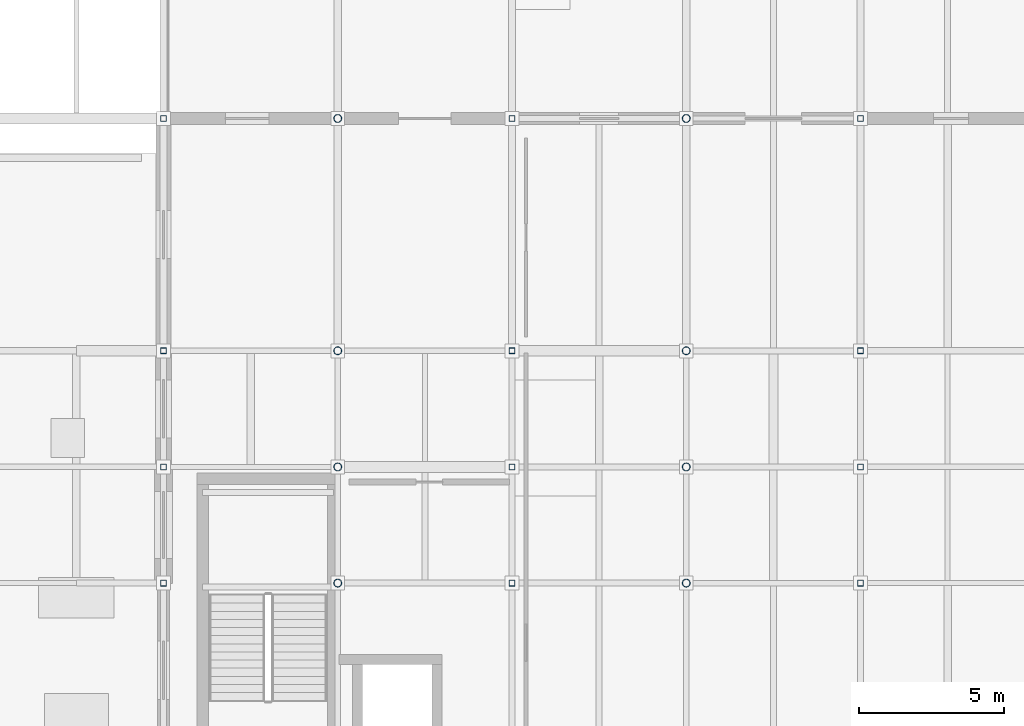
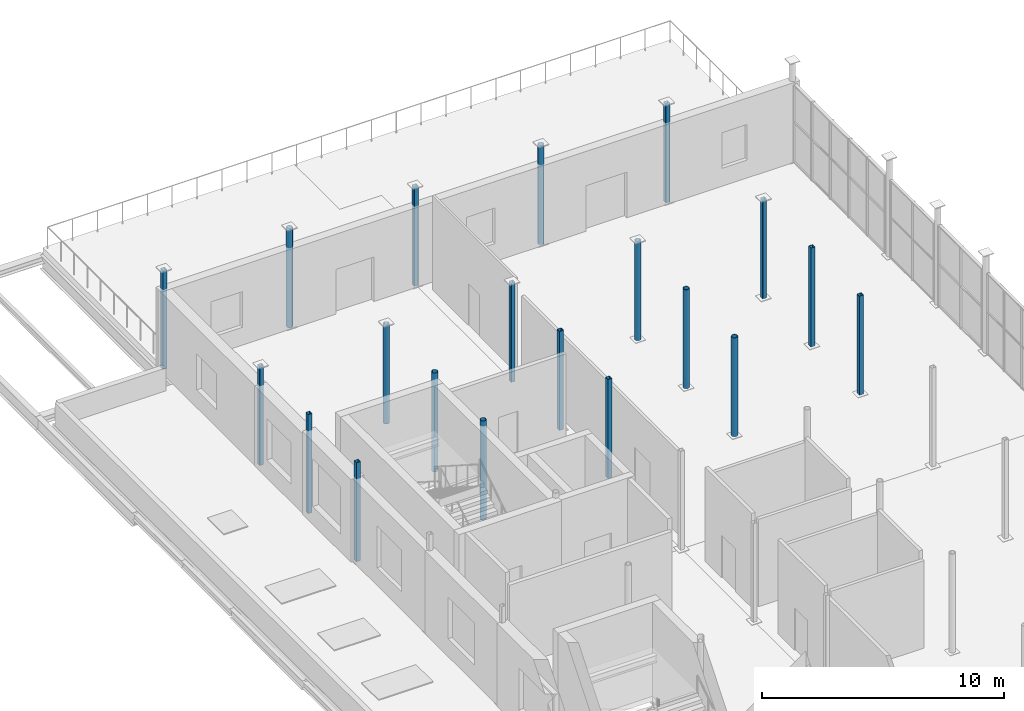
# One storey, part 4 of 27: 20 columns.
"""IFC4 building model written with IfcOpenShell, lengths in metres."""

import ifcopenshell
import ifcopenshell.guid

model = None  # the IFC model being written
_history = None  # IfcOwnerHistory: only IFC2X3 demands one
_inside = {}  # id of a spatial element -> (the spatial element, [elements in it])
_under = {}  # id of a project, library or spatial element -> (it, [spatial elements below it])
_declared = {}  # id of a project -> (the project, [libraries it declares])
_typed = {}  # id of a type object -> (the type object, [elements of that type])
_made_of = {}  # id of a material, layer set ... -> (it, [elements and type objects made of it])


def new_model(schema):
    """Start an empty IFC model of exactly this schema.

    Asked for "IFC4X3", IfcOpenShell would pick the latest addendum, in which some entities
    have other attributes; the version numbers below select the first issue.
    IFC2X3 requires an IfcOwnerHistory on every rooted entity: one is made here for all.
    """
    global model, _history
    if schema == "IFC4X3":
        model = ifcopenshell.file(schema_version=(4, 3, 0, 0))
    else:
        model = ifcopenshell.file(schema=schema)
    _inside.clear()
    _under.clear()
    _declared.clear()
    _typed.clear()
    _made_of.clear()
    _history = None
    if model.schema == "IFC2X3":
        org = make("IfcOrganization", Name="unknown")
        user = make(
            "IfcPersonAndOrganization",
            ThePerson=make("IfcPerson", FamilyName="unknown"),
            TheOrganization=org,
        )
        app = make(
            "IfcApplication",
            ApplicationDeveloper=org,
            Version="unknown",
            ApplicationFullName="unknown",
            ApplicationIdentifier="unknown",
        )
        _history = make(
            "IfcOwnerHistory",
            OwningUser=user,
            OwningApplication=app,
            ChangeAction="ADDED",
            CreationDate=0,
        )
    return model


def make(cls, **values):
    """One entity of the class cls with the attributes given. An attribute that is None is left unset."""
    return model.create_entity(
        cls, **{name: value for name, value in values.items() if value is not None}
    )


def rooted(cls, **values):
    """An entity with a GlobalId (a new one), such as an element, a storey or a relation."""
    return make(cls, GlobalId=ifcopenshell.guid.new(), OwnerHistory=_history, **values)


def si_unit(unit_type, name, prefix=None):
    """IfcSIUnit, for example si_unit("LENGTHUNIT", "METRE", prefix="MILLI")."""
    return make("IfcSIUnit", UnitType=unit_type, Prefix=prefix, Name=name)


def assignment(units):
    """IfcUnitAssignment: the units of a project."""
    return None if units is None else make("IfcUnitAssignment", Units=units)


def point(xyz):
    """IfcCartesianPoint."""
    return None if xyz is None else make("IfcCartesianPoint", Coordinates=xyz)


def direction(xyz):
    """IfcDirection."""
    return None if xyz is None else make("IfcDirection", DirectionRatios=xyz)


def frame(location, z_axis=None, x_axis=None):
    """IfcAxis2Placement3D, a coordinate frame: its origin and axes. An axis left out is left unset."""
    return make(
        "IfcAxis2Placement3D",
        Location=point(location),
        Axis=direction(z_axis),
        RefDirection=direction(x_axis),
    )


def frame_2d(location, x_axis=None):
    """IfcAxis2Placement2D, a coordinate frame in the plane: its origin and x axis."""
    return make(
        "IfcAxis2Placement2D", Location=point(location), RefDirection=direction(x_axis)
    )


def origin():
    """The frame at (0, 0, 0) with its axes left unset."""
    return frame((0.0, 0.0, 0.0))


def origin_2d():
    """The frame at (0, 0) in the plane with its x axis left unset."""
    return frame_2d((0.0, 0.0))


def place(relative_to, where):
    """IfcLocalPlacement: puts the frame where relative to a parent placement (None: the world)."""
    return make(
        "IfcLocalPlacement", PlacementRelTo=relative_to, RelativePlacement=where
    )


def context(
    kind, dimensions, precision=None, world=None, true_north=None, identifier=None
):
    """IfcGeometricRepresentationContext, for example the 3D "Model" context."""
    return make(
        "IfcGeometricRepresentationContext",
        ContextIdentifier=identifier,
        ContextType=kind,
        CoordinateSpaceDimension=dimensions,
        Precision=precision,
        WorldCoordinateSystem=world,
        TrueNorth=true_north,
    )


def subcontext(parent, identifier, kind, view, scale=None):
    """IfcGeometricRepresentationSubContext, for example "Body" below "Model"."""
    return make(
        "IfcGeometricRepresentationSubContext",
        ContextIdentifier=identifier,
        ContextType=kind,
        ParentContext=parent,
        TargetScale=scale,
        TargetView=view,
    )


def project(units=None, contexts=None):
    """IfcProject with its units and contexts."""
    return rooted(
        "IfcProject",
        Name="project",
        RepresentationContexts=contexts,
        UnitsInContext=assignment(units),
    )


def spatial(cls, under=None, at=None, **own):
    """A site, building, storey or space (cls), placed at a placement, below another one or the project."""
    s = rooted(cls, ObjectPlacement=at, **own)
    if under is not None:
        _under.setdefault(under.id(), (under, []))[1].append(s)
    return s


def profile(cls, at=None, kind="AREA", **sizes):
    """A parametric profile (cls). Its sizes go by their IFC names, for example OverallWidth=200.0."""
    return make(cls, ProfileType=kind, Position=at, **sizes)


def hollow_rectangle(**sizes):
    """IfcRectangleHollowProfileDef."""
    return profile("IfcRectangleHollowProfileDef", **sizes)


def hollow_circle(**sizes):
    """IfcCircleHollowProfileDef."""
    return profile("IfcCircleHollowProfileDef", **sizes)


def extrude(swept, where, along, depth):
    """IfcExtrudedAreaSolid: the profile swept, set in the frame where, extruded along a direction by depth."""
    return make(
        "IfcExtrudedAreaSolid",
        SweptArea=swept,
        Position=where,
        ExtrudedDirection=direction(along),
        Depth=depth,
    )


def shape(context_of_items, identifier, shape_type, items):
    """IfcShapeRepresentation: the items that make up one representation, for example the "Body"."""
    return make(
        "IfcShapeRepresentation",
        ContextOfItems=context_of_items,
        RepresentationIdentifier=identifier,
        RepresentationType=shape_type,
        Items=items,
    )


def material(Name=None, Category=None):
    """IfcMaterial."""
    return make("IfcMaterial", Name=Name, Category=Category)


def material_profile(
    of_material, cross_section, Name=None, Category=None, Priority=None
):
    """IfcMaterialProfile: a cross section and its material."""
    return make(
        "IfcMaterialProfile",
        Name=Name,
        Material=of_material,
        Profile=cross_section,
        Priority=Priority,
        Category=Category,
    )


def profile_set(profiles, Name=None, composite=None):
    """IfcMaterialProfileSet."""
    return make(
        "IfcMaterialProfileSet",
        Name=Name,
        MaterialProfiles=profiles,
        CompositeProfile=composite,
    )


def made_of(thing, what):
    """Note that an element or type object is made of a material, layer set ...; save() writes the relation."""
    if what is not None:
        _made_of.setdefault(what.id(), (what, []))[1].append(thing)
    return thing


def type_object(cls, material=None, **own):
    """A type object (cls), such as IfcWallType, which elements share."""
    return made_of(rooted(cls, **own), material)


def element(
    cls,
    number,
    at=None,
    inside=None,
    cuts=None,
    type_object=None,
    material=None,
    context=None,
    identifier="Body",
    shape_type=None,
    held_by="IfcProductDefinitionShape",
    body=None,
    shapes=None,
    **own,
):
    """One element of the class cls, such as IfcWall. Its Tag is "e" and its number.

    at: its placement. inside: the storey or other place that contains it. cuts: it is an
    opening in that element (IfcRelVoidsElement). A single representation is given by context,
    identifier, shape_type and body (its items); several are given by shapes. held_by: the class
    of the entity that holds the representations. save() writes the other relations.
    """
    e = rooted(cls, Tag="e%d" % number, ObjectPlacement=at, **own)
    if body is not None:
        shapes = [shape(context, identifier, shape_type, body)]
    if shapes is not None:
        e.Representation = make(held_by, Representations=shapes)
    if inside is not None:
        _inside.setdefault(inside.id(), (inside, []))[1].append(e)
    if cuts is not None:
        rooted(
            "IfcRelVoidsElement", RelatingBuildingElement=cuts, RelatedOpeningElement=e
        )
    if type_object is not None:
        _typed.setdefault(type_object.id(), (type_object, []))[1].append(e)
    return made_of(e, material)


def aggregate(whole, parts):
    """IfcRelAggregates: a whole, such as a stair, and the parts it consists of."""
    return rooted("IfcRelAggregates", RelatingObject=whole, RelatedObjects=parts)


def save(model, path):
    """Write the relations noted so far, then the file.

    IfcRelAggregates (storeys below a building ...), IfcRelContainedInSpatialStructure (elements
    in a storey), IfcRelDefinesByType, IfcRelAssociatesMaterial and IfcRelDeclares: one each for
    every whole, place, type object, material and project.
    """
    for whole, parts in _under.values():
        aggregate(whole, parts)
    for where, things in _inside.values():
        rooted(
            "IfcRelContainedInSpatialStructure",
            RelatedElements=things,
            RelatingStructure=where,
        )
    for kind, things in _typed.values():
        rooted("IfcRelDefinesByType", RelatedObjects=things, RelatingType=kind)
    for what, things in _made_of.values():
        rooted("IfcRelAssociatesMaterial", RelatedObjects=things, RelatingMaterial=what)
    for by, libraries in _declared.values():
        rooted("IfcRelDeclares", RelatingContext=by, RelatedDefinitions=libraries)
    model.write(path)


model = new_model("IFC4")

# Units and contexts
model_context = context("Model", 3, precision=1e-05, world=origin(), true_north=direction((0.0, 1.0)))
body_context = subcontext(model_context, "Body", "Model", "MODEL_VIEW")
ifc_project = project(units=[si_unit("LENGTHUNIT", "METRE"), si_unit("AREAUNIT", "SQUARE_METRE"), si_unit("VOLUMEUNIT", "CUBIC_METRE"), si_unit("PLANEANGLEUNIT", "RADIAN"), si_unit("MASSUNIT", "GRAM", prefix="KILO")], contexts=[model_context])

# Site, building, storey
site_placement = place(None, origin())
site = spatial("IfcSite", under=ifc_project, at=site_placement, CompositionType="ELEMENT")
building_placement = place(site_placement, origin())
building = spatial("IfcBuilding", under=site, at=building_placement, Name="Verrall Gate Interchange", CompositionType="ELEMENT")
storey_placement = place(building_placement, frame((0.0, 0.0, 23.60009765625)))
storey = spatial("IfcBuildingStorey", under=building, at=storey_placement, Name="L06", CompositionType="ELEMENT", Elevation=23.60009765625)

# Columns
ifc_material_1 = material(Name="Structural Steel CSA G40.21 350W", Category="steel")
ifc_material_profile_1 = material_profile(ifc_material_1, hollow_rectangle(XDim=0.202880859375, YDim=0.202880859375, WallThickness=0.009521484375, InnerFilletRadius=0.009521484375, OuterFilletRadius=0.01904296875, at=origin_2d()), Name="HSS203x203x9.5")
ifc_profile_set_1 = profile_set([ifc_material_profile_1], Name="Structural Steel CSA G40.21 350W")
column_type_1 = type_object("IfcColumnType", Name="C-14 Column HSS203x203x9.5", PredefinedType="COLUMN", material=ifc_profile_set_1)
for number, where, z_axis, x_axis, name in (
    (1, (6.0, 40.0, 0.0), (0.0, 0.0, 1.0), (1.0, 0.0, 0.0), "L06 Column COL-L06-0197 (C-14)"),
    (2, (6.0, 44.0, 0.0), (0.0, 0.0, 1.0), (1.0, 0.0, 0.0), "L06 Column COL-L06-0206 (C-14)"),
    (3, (6.0, 48.0, 0.0), (0.0, 0.0, 1.0), (1.0, 0.0, 0.0), "L06 Column COL-L06-0215 (C-14)"),
    (4, (6.0, 56.0, 0.0), (0.0, 0.0, 1.0), (1.0, 0.0, 0.0), "L06 Column COL-L06-0223 (C-14)"),
    (5, (18.0, 40.0, 0.0), (0.0, 0.0, 1.0), (1.0, 0.0, 0.0), "L06 Column COL-L06-0431 (C-14)"),
    (6, (18.0, 44.0, 0.0), (0.0, 0.0, 1.0), (1.0, 0.0, 0.0), "L06 Column COL-L06-0440 (C-14)"),
    (7, (18.0, 48.0, 0.0), (0.0, 0.0, 1.0), (1.0, 0.0, 0.0), "L06 Column COL-L06-0449 (C-14)"),
    (8, (18.0, 56.0, 0.0), (0.0, 0.0, 1.0), (1.0, 0.0, 0.0), "L06 Column COL-L06-0457 (C-14)"),
    (9, (30.0, 40.0, 0.0), (0.0, 0.0, 1.0), (1.0, 0.0, 0.0), "L06 Column COL-L06-0665 (C-14)"),
    (10, (30.0, 44.0, 0.0), (0.0, 0.0, 1.0), (1.0, 0.0, 0.0), "L06 Column COL-L06-0674 (C-14)"),
    (11, (30.0, 48.0, 0.0), (0.0, 0.0, 1.0), (1.0, 0.0, 0.0), "L06 Column COL-L06-0683 (C-14)"),
    (12, (30.0, 56.0, 0.0), (0.0, 0.0, 1.0), (1.0, 0.0, 0.0), "L06 Column COL-L06-0691 (C-14)"),
):
    element("IfcColumn", number, at=place(storey_placement, frame(where, z_axis=z_axis, x_axis=x_axis)), inside=storey, type_object=column_type_1, Name=name, PredefinedType="COLUMN", context=body_context, shape_type="SweptSolid", body=[
        extrude(hollow_rectangle(XDim=0.202880859375, YDim=0.202880859375, WallThickness=0.009521484375, InnerFilletRadius=0.009521484375, OuterFilletRadius=0.01904296875, at=origin_2d()), origin(), (0.0, 0.0, 1.0), 5.0),
    ])
ifc_material_2 = material(Name="Structural Steel CSA G40.21 350WT Cat 4", Category="steel")
ifc_material_profile_2 = material_profile(ifc_material_2, hollow_circle(Radius=0.136474609375, WallThickness=0.009521484375, at=origin_2d()), Name="HSS273x9.5")
ifc_profile_set_2 = profile_set([ifc_material_profile_2], Name="Structural Steel CSA G40.21 350WT Cat 4")
column_type_2 = type_object("IfcColumnType", Name="C-16 Column HSS273x9.5", PredefinedType="COLUMN", material=ifc_profile_set_2)
for number, where, z_axis, x_axis, name in (
    (13, (12.0, 40.0, 0.0), (0.0, 0.0, 1.0), (1.0, 0.0, 0.0), "L06 Column COL-L06-0314 (C-16)"),
    (14, (12.0, 44.0, 0.0), (0.0, 0.0, 1.0), (1.0, 0.0, 0.0), "L06 Column COL-L06-0323 (C-16)"),
    (15, (12.0, 48.0, 0.0), (0.0, 0.0, 1.0), (1.0, 0.0, 0.0), "L06 Column COL-L06-0332 (C-16)"),
    (16, (12.0, 56.0, 0.0), (0.0, 0.0, 1.0), (1.0, 0.0, 0.0), "L06 Column COL-L06-0340 (C-16)"),
    (17, (24.0, 40.0, 0.0), (0.0, 0.0, 1.0), (1.0, 0.0, 0.0), "L06 Column COL-L06-0548 (C-16)"),
    (18, (24.0, 44.0, 0.0), (0.0, 0.0, 1.0), (1.0, 0.0, 0.0), "L06 Column COL-L06-0557 (C-16)"),
    (19, (24.0, 48.0, 0.0), (0.0, 0.0, 1.0), (1.0, 0.0, 0.0), "L06 Column COL-L06-0566 (C-16)"),
    (20, (24.0, 56.0, 0.0), (0.0, 0.0, 1.0), (1.0, 0.0, 0.0), "L06 Column COL-L06-0574 (C-16)"),
):
    element("IfcColumn", number, at=place(storey_placement, frame(where, z_axis=z_axis, x_axis=x_axis)), inside=storey, type_object=column_type_2, Name=name, PredefinedType="COLUMN", context=body_context, shape_type="SweptSolid", body=[
        extrude(hollow_circle(Radius=0.136474609375, WallThickness=0.009521484375, at=origin_2d()), origin(), (0.0, 0.0, 1.0), 5.0),
    ])

save(model, "model.ifc")
